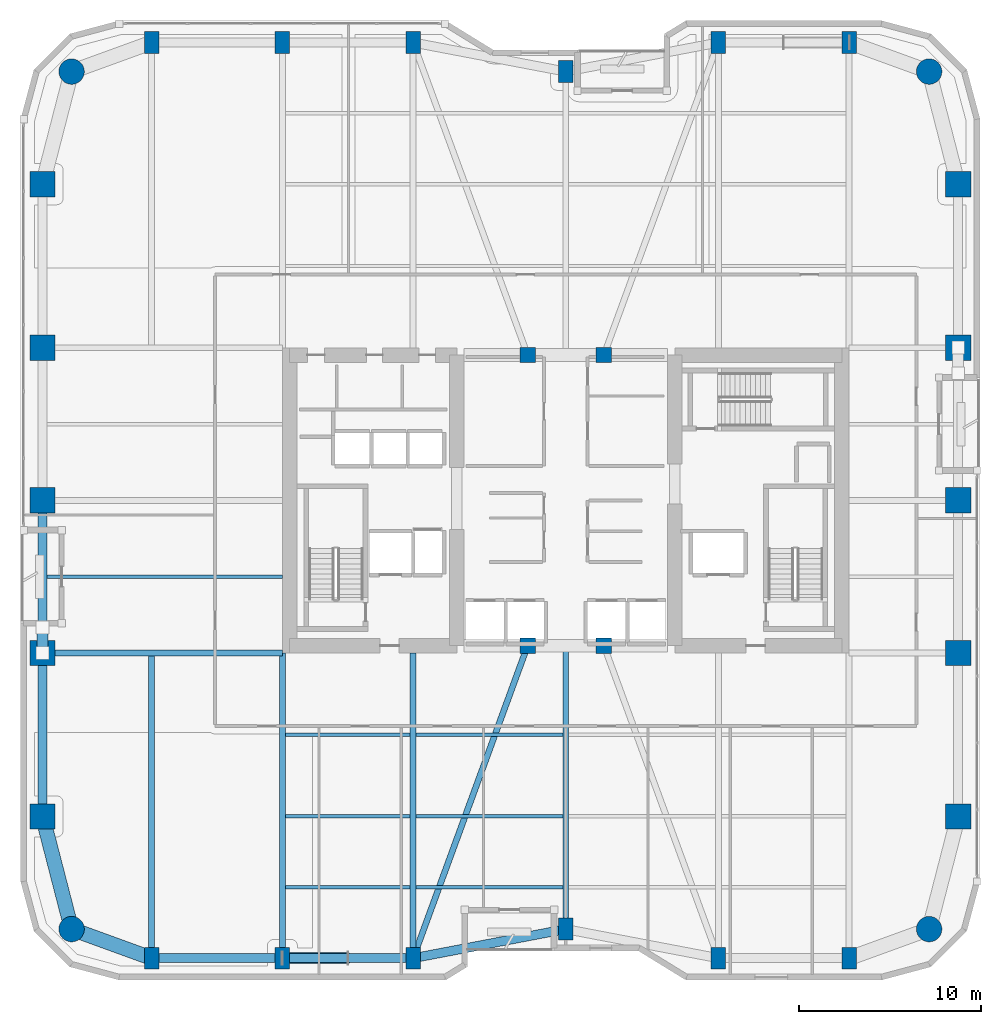
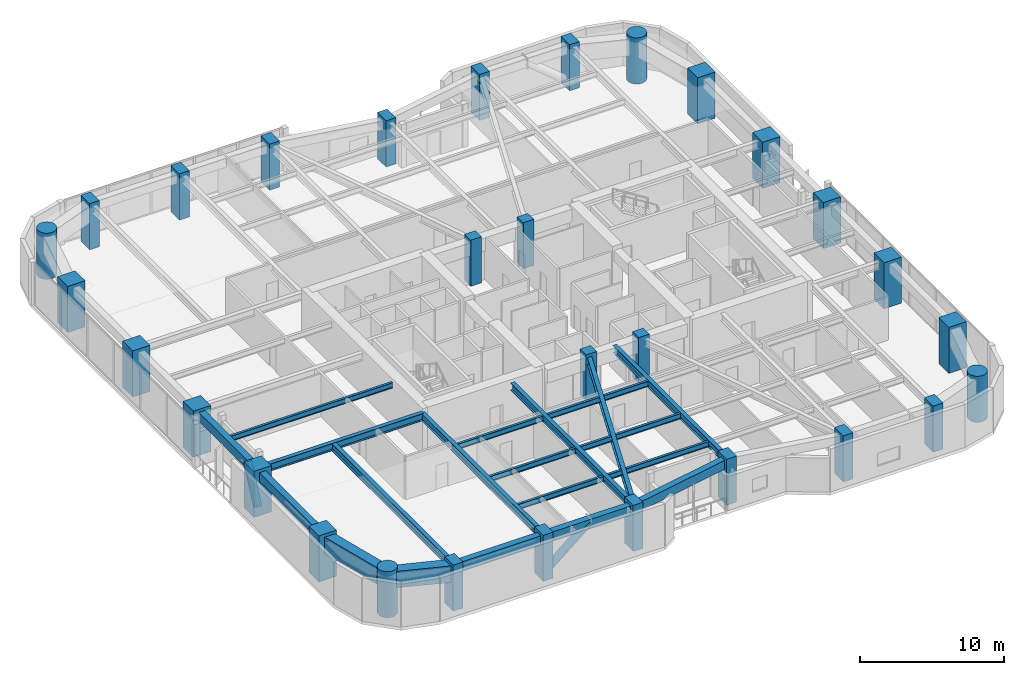
# One storey, part 1 of 24: 30 columns, 20 beams, 2 members.
"""IFC4 building model written with IfcOpenShell, lengths in metres."""

from ifc_helpers import new_model, si_unit, direction, frame, origin, origin_2d, place, context, subcontext, project, spatial, rectangle, circle, hollow_circle, i_section, extrude, material, material_profile, profile_set, type_object, element, save


model = new_model("IFC4")

# Units and contexts
model_context = context("Model", 3, precision=1e-05, world=origin(), true_north=direction((0.0, 1.0)))
body_context = subcontext(model_context, "Body", "Model", "MODEL_VIEW")
ifc_project = project(units=[si_unit("LENGTHUNIT", "METRE"), si_unit("AREAUNIT", "SQUARE_METRE"), si_unit("VOLUMEUNIT", "CUBIC_METRE"), si_unit("PLANEANGLEUNIT", "RADIAN"), si_unit("MASSUNIT", "GRAM", prefix="KILO")], contexts=[model_context])

# Site, building, storey
site_placement = place(None, origin())
site = spatial("IfcSite", under=ifc_project, at=site_placement, CompositionType="ELEMENT")
building_placement = place(site_placement, origin())
building = spatial("IfcBuilding", under=site, at=building_placement, Name="Kiyonajd Concourse Tower", CompositionType="ELEMENT")
storey_placement = place(building_placement, frame((0.0, 0.0, 117.0)))
storey = spatial("IfcBuildingStorey", under=building, at=storey_placement, Name="L30", CompositionType="ELEMENT", Elevation=117.0)

# Columns
ifc_material_1 = material(Name="Concrete C70/85", Category="concrete")
ifc_material_profile_1 = material_profile(ifc_material_1, rectangle(XDim=0.800048828125, YDim=1.199951171875, at=origin_2d()), Name="RC-1200x800")
ifc_profile_set_1 = profile_set([ifc_material_profile_1], Name="Concrete C70/85")
column_type_1 = type_object("IfcColumnType", Name="CL-BLADE-1200", PredefinedType="COLUMN", material=ifc_profile_set_1)
for number, where, z_axis, x_axis, name in (
    (1, (25.199951171875, 10.800048828125, 0.0), (0.0, 0.0, 1.0), (1.0, 0.0, 0.0), "L30 Perimeter Bundled Tube Column"),
    (2, (25.199951171875, 61.199951171875, 0.0), (0.0, 0.0, 1.0), (1.0, 0.0, 0.0), "L30 Perimeter Bundled Tube Column"),
    (3, (32.39990234375, 10.800048828125, 0.0), (0.0, 0.0, 1.0), (1.0, 0.0, 0.0), "L30 Perimeter Bundled Tube Column"),
    (4, (32.39990234375, 61.199951171875, 0.0), (0.0, 0.0, 1.0), (1.0, 0.0, 0.0), "L30 Perimeter Bundled Tube Column"),
    (5, (39.60009765625, 10.800048828125, 0.0), (0.0, 0.0, 1.0), (1.0, 0.0, 0.0), "L30 Perimeter Bundled Tube Column"),
    (6, (39.60009765625, 61.199951171875, 0.0), (0.0, 0.0, 1.0), (1.0, 0.0, 0.0), "L30 Perimeter Bundled Tube Column"),
    (7, (48.0, 12.39990234375, 0.0), (0.0, 0.0, 1.0), (1.0, 0.0, 0.0), "L30 Perimeter Bundled Tube Column"),
    (8, (48.0, 59.60009765625, 0.0), (0.0, 0.0, 1.0), (1.0, 0.0, 0.0), "L30 Perimeter Bundled Tube Column"),
    (9, (56.39990234375, 10.800048828125, 0.0), (0.0, 0.0, 1.0), (1.0, 0.0, 0.0), "L30 Perimeter Bundled Tube Column"),
    (10, (56.39990234375, 61.199951171875, 0.0), (0.0, 0.0, 1.0), (1.0, 0.0, 0.0), "L30 Perimeter Bundled Tube Column"),
    (11, (63.60009765625, 10.800048828125, 0.0), (0.0, 0.0, 1.0), (1.0, 0.0, 0.0), "L30 Perimeter Bundled Tube Column"),
    (12, (63.60009765625, 61.199951171875, 0.0), (0.0, 0.0, 1.0), (1.0, 0.0, 0.0), "L30 Perimeter Bundled Tube Column"),
):
    element("IfcColumn", number, at=place(storey_placement, frame(where, z_axis=z_axis, x_axis=x_axis)), inside=storey, type_object=column_type_1, Name=name, PredefinedType="COLUMN", context=body_context, shape_type="SweptSolid", body=[
        extrude(rectangle(XDim=0.800048828125, YDim=1.199951171875, at=origin_2d()), origin(), (0.0, 0.0, 1.0), 3.89990234375),
    ])
ifc_material_2 = material(Name="Concrete C80/95", Category="concrete")
ifc_material_profile_2 = material_profile(ifc_material_2, circle(Radius=0.699951171875, at=origin_2d()), Name="RCC-D1400")
ifc_profile_set_2 = profile_set([ifc_material_profile_2], Name="Concrete C80/95")
column_type_2 = type_object("IfcColumnType", Name="CL-RND-1400", PredefinedType="COLUMN", material=ifc_profile_set_2)
for number, where, z_axis, x_axis, name in (
    (13, (20.800048828125, 12.39990234375, 0.0), (0.0, 0.0, 1.0), (1.0, 0.0, 0.0), "L30 Bundled Tube Corner Column South West"),
    (14, (68.0, 12.39990234375, 0.0), (0.0, 0.0, 1.0), (1.0, 0.0, 0.0), "L30 Bundled Tube Corner Column South East"),
    (15, (68.0, 59.60009765625, 0.0), (0.0, 0.0, 1.0), (1.0, 0.0, 0.0), "L30 Bundled Tube Corner Column North East"),
    (16, (20.800048828125, 59.60009765625, 0.0), (0.0, 0.0, 1.0), (1.0, 0.0, 0.0), "L30 Bundled Tube Corner Column North West"),
):
    element("IfcColumn", number, at=place(storey_placement, frame(where, z_axis=z_axis, x_axis=x_axis)), inside=storey, type_object=column_type_2, Name=name, PredefinedType="COLUMN", context=body_context, shape_type="SweptSolid", body=[
        extrude(circle(Radius=0.699951171875, at=origin_2d()), origin(), (0.0, 0.0, 1.0), 3.89990234375),
    ])
ifc_material_profile_3 = material_profile(ifc_material_1, rectangle(XDim=1.39990234375, YDim=1.39990234375, at=origin_2d()), Name="RC-1400x1400")
ifc_profile_set_3 = profile_set([ifc_material_profile_3], Name="Concrete C70/85")
column_type_3 = type_object("IfcColumnType", Name="CL-TUBE-1400", PredefinedType="COLUMN", material=ifc_profile_set_3)
for number, where, z_axis, x_axis, name in (
    (17, (19.199951171875, 18.60009765625, 0.0), (0.0, 0.0, 1.0), (1.0, 0.0, 0.0), "L30 Perimeter Bundled Tube Column"),
    (18, (69.60009765625, 18.60009765625, 0.0), (0.0, 0.0, 1.0), (1.0, 0.0, 0.0), "L30 Perimeter Bundled Tube Column"),
    (19, (19.199951171875, 27.60009765625, 0.0), (0.0, 0.0, 1.0), (1.0, 0.0, 0.0), "L30 Perimeter Bundled Tube Column"),
    (20, (69.60009765625, 27.60009765625, 0.0), (0.0, 0.0, 1.0), (1.0, 0.0, 0.0), "L30 Perimeter Bundled Tube Column"),
    (21, (19.199951171875, 36.0, 0.0), (0.0, 0.0, 1.0), (1.0, 0.0, 0.0), "L30 Perimeter Bundled Tube Column"),
    (22, (69.60009765625, 36.0, 0.0), (0.0, 0.0, 1.0), (1.0, 0.0, 0.0), "L30 Perimeter Bundled Tube Column"),
    (23, (19.199951171875, 44.39990234375, 0.0), (0.0, 0.0, 1.0), (1.0, 0.0, 0.0), "L30 Perimeter Bundled Tube Column"),
    (24, (69.60009765625, 44.39990234375, 0.0), (0.0, 0.0, 1.0), (1.0, 0.0, 0.0), "L30 Perimeter Bundled Tube Column"),
    (25, (19.199951171875, 53.39990234375, 0.0), (0.0, 0.0, 1.0), (1.0, 0.0, 0.0), "L30 Perimeter Bundled Tube Column"),
    (26, (69.60009765625, 53.39990234375, 0.0), (0.0, 0.0, 1.0), (1.0, 0.0, 0.0), "L30 Perimeter Bundled Tube Column"),
):
    element("IfcColumn", number, at=place(storey_placement, frame(where, z_axis=z_axis, x_axis=x_axis)), inside=storey, type_object=column_type_3, Name=name, PredefinedType="COLUMN", context=body_context, shape_type="SweptSolid", body=[
        extrude(rectangle(XDim=1.39990234375, YDim=1.39990234375, at=origin_2d()), origin(), (0.0, 0.0, 1.0), 3.89990234375),
    ])
ifc_material_3 = material(Name="Concrete C60/75", Category="concrete")
ifc_material_profile_4 = material_profile(ifc_material_3, rectangle(XDim=0.85009765625, YDim=0.85009765625, at=origin_2d()), Name="RC-850x850")
ifc_profile_set_4 = profile_set([ifc_material_profile_4], Name="Concrete C60/75")
column_type_4 = type_object("IfcColumnType", Name="CL-TUBE-850", PredefinedType="COLUMN", material=ifc_profile_set_4)
for number, where, z_axis, x_axis, name in (
    (27, (45.89990234375, 28.0, 0.0), (0.0, 0.0, 1.0), (1.0, 0.0, 0.0), "L30 Core Tie Column South West"),
    (28, (50.10009765625, 28.0, 0.0), (0.0, 0.0, 1.0), (1.0, 0.0, 0.0), "L30 Core Tie Column South East"),
    (29, (45.89990234375, 44.0, 0.0), (0.0, 0.0, 1.0), (1.0, 0.0, 0.0), "L30 Core Tie Column North West"),
    (30, (50.10009765625, 44.0, 0.0), (0.0, 0.0, 1.0), (1.0, 0.0, 0.0), "L30 Core Tie Column North East"),
):
    element("IfcColumn", number, at=place(storey_placement, frame(where, z_axis=z_axis, x_axis=x_axis)), inside=storey, type_object=column_type_4, Name=name, PredefinedType="COLUMN", context=body_context, shape_type="SweptSolid", body=[
        extrude(rectangle(XDim=0.85009765625, YDim=0.85009765625, at=origin_2d()), origin(), (0.0, 0.0, 1.0), 3.89990234375),
    ])

# Beams
ifc_material_4 = material(Name="Steel ASTM A992 Grade 50", Category="steel")
ifc_material_profile_5 = material_profile(ifc_material_4, i_section(OverallWidth=0.19189453125, OverallDepth=0.462890625, WebThickness=0.010498046875, FlangeThickness=0.017578125, at=origin_2d()), Name="W460X89")
ifc_profile_set_5 = profile_set([ifc_material_profile_5], Name="Steel ASTM A992 Grade 50")
beam_type_1 = type_object("IfcBeamType", Name="BM-JST-460B", PredefinedType="JOIST", material=ifc_profile_set_5)
beam_1_placement = place(storey_placement, frame((32.5634765625, 14.699951171875, 3.408447265625), z_axis=(1.0, 0.0, 0.0), x_axis=(0.0, 1.0, 0.0)))
element("IfcBeam", 31, at=beam_1_placement, inside=storey, type_object=beam_type_1, Name="L30 Secondary Floor Joist", PredefinedType="JOIST", context=body_context, shape_type="SweptSolid", body=[
    extrude(i_section(OverallWidth=0.19189453125, OverallDepth=0.462890625, WebThickness=0.010498046875, FlangeThickness=0.017578125, at=origin_2d()), origin(), (0.0, 0.0, 1.0), 6.873046875),
])
beam_2_placement = place(storey_placement, frame((39.763427734375, 14.699951171875, 3.408447265625), z_axis=(1.0, 0.0, 0.0), x_axis=(0.0, 1.0, 0.0)))
element("IfcBeam", 32, at=beam_2_placement, inside=storey, type_object=beam_type_1, Name="L30 Secondary Floor Joist", PredefinedType="JOIST", context=body_context, shape_type="SweptSolid", body=[
    extrude(i_section(OverallWidth=0.19189453125, OverallDepth=0.462890625, WebThickness=0.010498046875, FlangeThickness=0.017578125, at=origin_2d()), origin(), (0.0, 0.0, 1.0), 8.072998046875),
])
beam_3_placement = place(storey_placement, frame((32.5634765625, 18.60009765625, 3.408447265625), z_axis=(1.0, 0.0, 0.0), x_axis=(0.0, 1.0, 0.0)))
element("IfcBeam", 33, at=beam_3_placement, inside=storey, type_object=beam_type_1, Name="L30 Secondary Floor Joist", PredefinedType="JOIST", context=body_context, shape_type="SweptSolid", body=[
    extrude(i_section(OverallWidth=0.19189453125, OverallDepth=0.462890625, WebThickness=0.010498046875, FlangeThickness=0.017578125, at=origin_2d()), origin(), (0.0, 0.0, 1.0), 6.873046875),
])
beam_4_placement = place(storey_placement, frame((39.763427734375, 18.60009765625, 3.408447265625), z_axis=(1.0, 0.0, 0.0), x_axis=(0.0, 1.0, 0.0)))
element("IfcBeam", 34, at=beam_4_placement, inside=storey, type_object=beam_type_1, Name="L30 Secondary Floor Joist", PredefinedType="JOIST", context=body_context, shape_type="SweptSolid", body=[
    extrude(i_section(OverallWidth=0.19189453125, OverallDepth=0.462890625, WebThickness=0.010498046875, FlangeThickness=0.017578125, at=origin_2d()), origin(), (0.0, 0.0, 1.0), 8.072998046875),
])
beam_5_placement = place(storey_placement, frame((32.5634765625, 23.10009765625, 3.408447265625), z_axis=(1.0, 0.0, 0.0), x_axis=(0.0, 1.0, 0.0)))
element("IfcBeam", 35, at=beam_5_placement, inside=storey, type_object=beam_type_1, Name="L30 Secondary Floor Joist", PredefinedType="JOIST", context=body_context, shape_type="SweptSolid", body=[
    extrude(i_section(OverallWidth=0.19189453125, OverallDepth=0.462890625, WebThickness=0.010498046875, FlangeThickness=0.017578125, at=origin_2d()), origin(), (0.0, 0.0, 1.0), 6.873046875),
])
beam_6_placement = place(storey_placement, frame((39.763427734375, 23.10009765625, 3.408447265625), z_axis=(1.0, 0.0, 0.0), x_axis=(0.0, 1.0, 0.0)))
element("IfcBeam", 36, at=beam_6_placement, inside=storey, type_object=beam_type_1, Name="L30 Secondary Floor Joist", PredefinedType="JOIST", context=body_context, shape_type="SweptSolid", body=[
    extrude(i_section(OverallWidth=0.19189453125, OverallDepth=0.462890625, WebThickness=0.010498046875, FlangeThickness=0.017578125, at=origin_2d()), origin(), (0.0, 0.0, 1.0), 8.072998046875),
])
beam_7_placement = place(storey_placement, frame((19.449951171875, 31.800048828125, 3.408447265625), z_axis=(1.0, 0.0, 0.0), x_axis=(0.0, 1.0, 0.0)))
element("IfcBeam", 37, at=beam_7_placement, inside=storey, type_object=beam_type_1, Name="L30 West Secondary Floor Joist", PredefinedType="JOIST", context=body_context, shape_type="SweptSolid", body=[
    extrude(i_section(OverallWidth=0.19189453125, OverallDepth=0.462890625, WebThickness=0.010498046875, FlangeThickness=0.017578125, at=origin_2d()), origin(), (0.0, 0.0, 1.0), 12.949951171875),
])
ifc_material_5 = material(Name="Precast concrete C50/60", Category="concrete")
ifc_material_profile_6 = material_profile(ifc_material_5, rectangle(XDim=0.5, YDim=0.75, at=origin_2d()), Name="RCBM-500x750")
ifc_profile_set_6 = profile_set([ifc_material_profile_6], Name="Precast concrete C50/60")
beam_type_2 = type_object("IfcBeamType", Name="BM-SPAN-RC", PredefinedType="SPANDREL", material=ifc_profile_set_6)
beam_8_placement = place(storey_placement, frame((19.199951171875, 27.60009765625, 3.264892578125), z_axis=(0.0, -1.0, 0.0), x_axis=(1.0, 0.0, 0.0)))
element("IfcBeam", 38, at=beam_8_placement, inside=storey, type_object=beam_type_2, Name="L30 Perimeter Bundled Tube Spandrel", PredefinedType="SPANDREL", context=body_context, shape_type="SweptSolid", body=[
    extrude(rectangle(XDim=0.5, YDim=0.75, at=origin_2d()), origin(), (0.0, 0.0, 1.0), 9.0),
])
beam_9_placement = place(storey_placement, frame((25.199951171875, 10.800048828125, 3.264892578125), z_axis=(1.0, 0.0, 0.0), x_axis=(0.0, 1.0, 0.0)))
element("IfcBeam", 39, at=beam_9_placement, inside=storey, type_object=beam_type_2, Name="L30 Perimeter Bundled Tube Spandrel", PredefinedType="SPANDREL", context=body_context, shape_type="SweptSolid", body=[
    extrude(rectangle(XDim=0.5, YDim=0.75, at=origin_2d()), origin(), (0.0, 0.0, 1.0), 7.199951171875),
])
beam_10_placement = place(storey_placement, frame((32.39990234375, 10.800048828125, 3.264892578125), z_axis=(1.0, 0.0, 0.0), x_axis=(0.0, 1.0, 0.0)))
element("IfcBeam", 40, at=beam_10_placement, inside=storey, type_object=beam_type_2, Name="L30 Perimeter Bundled Tube Spandrel", PredefinedType="SPANDREL", context=body_context, shape_type="SweptSolid", body=[
    extrude(rectangle(XDim=0.5, YDim=0.75, at=origin_2d()), origin(), (0.0, 0.0, 1.0), 7.2001953125),
])
beam_11_placement = place(storey_placement, frame((39.60009765625, 10.800048828125, 3.264892578125), z_axis=(0.982341315253, 0.187097675953, 0.0), x_axis=(-0.187097675953, 0.982341315253, 0.0)))
element("IfcBeam", 41, at=beam_11_placement, inside=storey, type_object=beam_type_2, Name="L30 Perimeter Bundled Tube Spandrel", PredefinedType="SPANDREL", context=body_context, shape_type="SweptSolid", body=[
    extrude(rectangle(XDim=0.5, YDim=0.75, at=origin_2d()), origin(), (0.0, 0.0, 1.0), 8.55078125),
])
beam_12_placement = place(storey_placement, frame((19.199951171875, 36.0, 3.264892578125), z_axis=(0.0, -1.0, 0.0), x_axis=(1.0, 0.0, 0.0)))
element("IfcBeam", 42, at=beam_12_placement, inside=storey, type_object=beam_type_2, Name="L30 Perimeter Bundled Tube Spandrel", PredefinedType="SPANDREL", context=body_context, shape_type="SweptSolid", body=[
    extrude(rectangle(XDim=0.5, YDim=0.75, at=origin_2d()), origin(), (0.0, 0.0, 1.0), 8.39990234375),
])
ifc_material_profile_7 = material_profile(ifc_material_4, i_section(OverallWidth=0.326904296875, OverallDepth=0.6220703125, WebThickness=0.015380859375, FlangeThickness=0.0244140625, at=origin_2d()), Name="W610X195")
ifc_profile_set_7 = profile_set([ifc_material_profile_7], Name="Steel ASTM A992 Grade 50")
beam_type_3 = type_object("IfcBeamType", Name="BM-TWR-610A", PredefinedType="BEAM", material=ifc_profile_set_7)
beam_13_placement = place(storey_placement, frame((39.60009765625, 10.800048828125, 3.3291015625), z_axis=(0.343925269715, 0.938997022813, 0.0), x_axis=(-0.938997022813, 0.343925269715, 0.0)))
element("IfcBeam", 43, at=beam_13_placement, inside=storey, type_object=beam_type_3, Name="L30 Core Tie Girder", PredefinedType="BEAM", context=body_context, shape_type="SweptSolid", body=[
    extrude(i_section(OverallWidth=0.326904296875, OverallDepth=0.6220703125, WebThickness=0.015380859375, FlangeThickness=0.0244140625, at=origin_2d()), origin(), (0.0, 0.0, 1.0), 18.3173828125),
])
for number, where, z_axis, x_axis, name in (
    (44, (25.199951171875, 10.800048828125, 3.3291015625), (0.0, 1.0, 0.0), (-1.0, 0.0, 0.0), "L30 South Lease Girder"),
    (45, (32.39990234375, 10.800048828125, 3.3291015625), (0.0, 1.0, 0.0), (-1.0, 0.0, 0.0), "L30 South Lease Girder"),
    (46, (39.60009765625, 10.800048828125, 3.3291015625), (0.0, 1.0, 0.0), (-1.0, 0.0, 0.0), "L30 South Lease Girder"),
):
    element("IfcBeam", number, at=place(storey_placement, frame(where, z_axis=z_axis, x_axis=x_axis)), inside=storey, type_object=beam_type_3, Name=name, PredefinedType="BEAM", context=body_context, shape_type="SweptSolid", body=[
        extrude(i_section(OverallWidth=0.326904296875, OverallDepth=0.6220703125, WebThickness=0.015380859375, FlangeThickness=0.0244140625, at=origin_2d()), origin(), (0.0, 0.0, 1.0), 16.800048828125),
    ])
beam_14_placement = place(storey_placement, frame((48.0, 12.39990234375, 3.3291015625), z_axis=(0.0, 1.0, 0.0), x_axis=(-1.0, 0.0, 0.0)))
element("IfcBeam", 47, at=beam_14_placement, inside=storey, type_object=beam_type_3, Name="L30 South Ribbon Girder", PredefinedType="BEAM", context=body_context, shape_type="SweptSolid", body=[
    extrude(i_section(OverallWidth=0.326904296875, OverallDepth=0.6220703125, WebThickness=0.015380859375, FlangeThickness=0.0244140625, at=origin_2d()), origin(), (0.0, 0.0, 1.0), 15.60009765625),
])
beam_15_placement = place(storey_placement, frame((19.199951171875, 27.60009765625, 3.3291015625), z_axis=(1.0, 0.0, 0.0), x_axis=(0.0, 1.0, 0.0)))
element("IfcBeam", 48, at=beam_15_placement, inside=storey, type_object=beam_type_3, Name="L30 West Lease Girder", PredefinedType="BEAM", context=body_context, shape_type="SweptSolid", body=[
    extrude(i_section(OverallWidth=0.326904296875, OverallDepth=0.6220703125, WebThickness=0.015380859375, FlangeThickness=0.0244140625, at=origin_2d()), origin(), (0.0, 0.0, 1.0), 13.199951171875),
])
ifc_material_profile_8 = material_profile(ifc_material_3, rectangle(XDim=0.800048828125, YDim=1.39990234375, at=origin_2d()), Name="RCBM-800x1400")
ifc_profile_set_8 = profile_set([ifc_material_profile_8], Name="Concrete C60/75")
beam_type_4 = type_object("IfcBeamType", Name="BM-XFER-RC", PredefinedType="BEAM", material=ifc_profile_set_8)
beam_16_placement = place(storey_placement, frame((19.199951171875, 18.60009765625, 2.93994140625), z_axis=(0.249884937687, -0.968275538221, 0.0), x_axis=(0.968275538221, 0.249884937687, 0.0)))
element("IfcBeam", 49, at=beam_16_placement, inside=storey, type_object=beam_type_4, Name="L30 Perimeter Bundled Tube Spandrel", PredefinedType="BEAM", context=body_context, shape_type="SweptSolid", body=[
    extrude(rectangle(XDim=0.800048828125, YDim=1.39990234375, at=origin_2d()), origin(), (0.0, 0.0, 1.0), 6.4033203125),
])
beam_17_placement = place(storey_placement, frame((20.800048828125, 12.39990234375, 2.93994140625), z_axis=(0.939801036019, -0.341722127901, 0.0), x_axis=(0.341722127901, 0.939801036019, 0.0)))
element("IfcBeam", 50, at=beam_17_placement, inside=storey, type_object=beam_type_4, Name="L30 Perimeter Bundled Tube Spandrel", PredefinedType="BEAM", context=body_context, shape_type="SweptSolid", body=[
    extrude(rectangle(XDim=0.800048828125, YDim=1.39990234375, at=origin_2d()), origin(), (0.0, 0.0, 1.0), 4.681640625),
])

# Members
ifc_material_6 = material(Name="Steel ASTM A572 Grade 50", Category="steel")
ifc_material_profile_9 = material_profile(ifc_material_6, hollow_circle(Radius=0.304931640625, WallThickness=0.02490234375, at=origin_2d()), Name="CHS-610x25")
ifc_profile_set_9 = profile_set([ifc_material_profile_9], Name="Steel ASTM A572 Grade 50")
member_type = type_object("IfcMemberType", Name="MB-PB-LOW", PredefinedType="BRACE", material=ifc_profile_set_9)
member_1_placement = place(storey_placement, frame((32.39990234375, 10.800048828125, 0.300048828125), z_axis=(0.769280705518, 0.0, 0.638910945373), x_axis=(0.0, 1.0, 0.0)))
element("IfcMember", 51, at=member_1_placement, inside=storey, type_object=member_type, Name="L30 Lower Zone Welded Tube Brace PBS", PredefinedType="BRACE", context=body_context, shape_type="SweptSolid", body=[
    extrude(hollow_circle(Radius=0.304931640625, WallThickness=0.02490234375, at=origin_2d()), origin(), (0.0, 0.0, 1.0), 4.679931640625),
])
member_2_placement = place(storey_placement, frame((19.199951171875, 27.60009765625, 0.300048828125), z_axis=(0.0, 0.424022702926, 0.905651559598), x_axis=(-1.0, 0.0, 0.0)))
element("IfcMember", 52, at=member_2_placement, inside=storey, type_object=member_type, Name="L30 Lower Zone Welded Tube Brace PBW", PredefinedType="BRACE", context=body_context, shape_type="SweptSolid", body=[
    extrude(hollow_circle(Radius=0.304931640625, WallThickness=0.02490234375, at=origin_2d()), origin(), (0.0, 0.0, 1.0), 3.301513671875),
])

save(model, "model.ifc")
